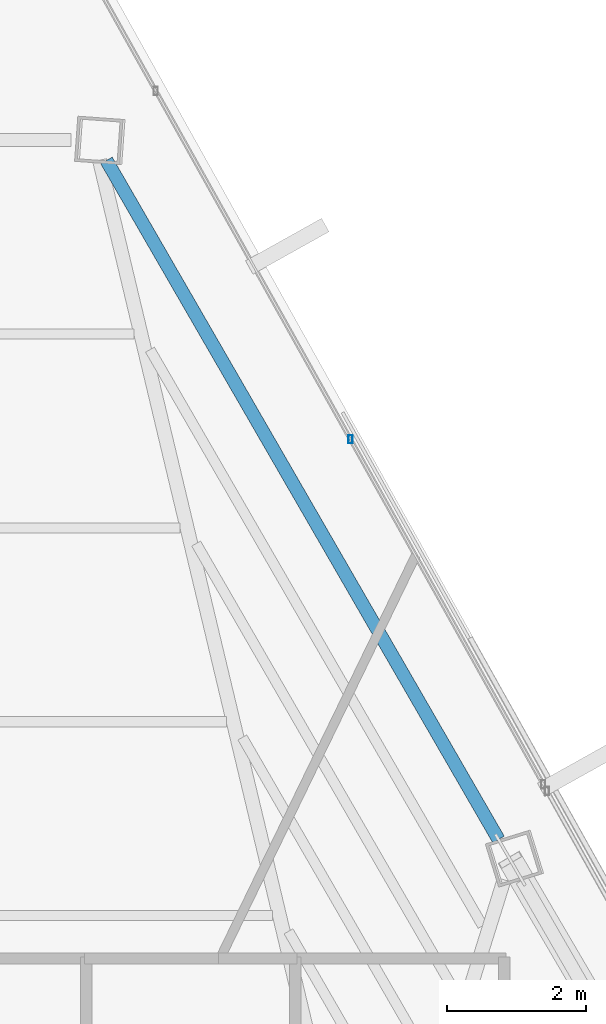
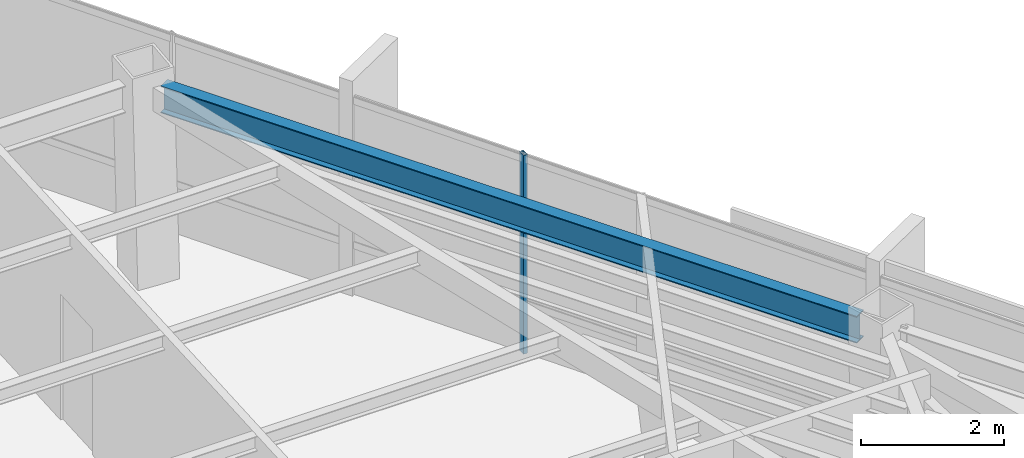
# One storey, part 37 of 45: 1 beam, 1 member, 1 element without a shape of its own.
"""IFC4 building model written with IfcOpenShell, lengths in metres."""

from ifc_helpers import new_model, si_unit, direction, frame, origin, origin_2d, place, context, subcontext, project, spatial, hollow_rectangle, i_section, extrude, source, transform, mapped, material, material_profile, profile_set, type_object, type_shapes, element, aggregate, save


model = new_model("IFC4")

# Units and contexts
model_context = context("Model", 3, precision=1e-05, world=origin(), true_north=direction((0.0, 1.0)))
body_context = subcontext(model_context, "Body", "Model", "MODEL_VIEW")
ifc_project = project(units=[si_unit("LENGTHUNIT", "METRE"), si_unit("AREAUNIT", "SQUARE_METRE"), si_unit("VOLUMEUNIT", "CUBIC_METRE"), si_unit("PLANEANGLEUNIT", "RADIAN"), si_unit("MASSUNIT", "GRAM", prefix="KILO")], contexts=[model_context])

# Site, building, storey
site_placement = place(None, origin())
site = spatial("IfcSite", under=ifc_project, at=site_placement, CompositionType="ELEMENT")
building_placement = place(site_placement, origin())
building = spatial("IfcBuilding", under=site, at=building_placement, Name="Caelisora Broadcast Tower", CompositionType="ELEMENT")
storey_placement = place(building_placement, frame((0.0, 0.0, 266.35009765625)))
storey = spatial("IfcBuildingStorey", under=building, at=storey_placement, Name="L70", CompositionType="ELEMENT", Elevation=266.35009765625)

# Beam
ifc_material_1 = material(Name="Steel Grade 350 (AS/NZS 3679.1)", Category="steel")
ifc_material_profile_1 = material_profile(ifc_material_1, i_section(OverallWidth=0.19091796875, OverallDepth=0.46044921875, WebThickness=0.010009765625, FlangeThickness=0.01611328125, at=origin_2d()), Name="Steel Grade 350 (AS/NZS 3679.1)")
ifc_profile_set_1 = profile_set([ifc_material_profile_1], Name="Steel Grade 350 (AS/NZS 3679.1)")
beam_type = type_object("IfcBeamType", Name="PG06", PredefinedType="BEAM", material=ifc_profile_set_1)
shared_shape_1 = source(origin(), body_context, "Body", "SweptSolid", [
    extrude(i_section(OverallWidth=0.19091796875, OverallDepth=0.46044921875, WebThickness=0.010009765625, FlangeThickness=0.01611328125, at=origin_2d()), origin(), (0.0, 0.0, 1.0), 11.25537109375),
])
type_shapes(beam_type, [shared_shape_1])
beam_placement = place(storey_placement, frame((47.31787109375, 36.658447265625, 3.169677734375), z_axis=(-0.49999533352, 0.866028097961, 0.0), x_axis=(-0.866028097961, -0.49999533352, 0.0)))
element("IfcBeam", 1, at=beam_placement, inside=storey, type_object=beam_type, Name="L70 beam PG06", PredefinedType="BEAM", context=body_context, shape_type="MappedRepresentation", body=[
    mapped(shared_shape_1, transform((0.0, 0.0, 0.0), scale=1.0)),
])

# Curtain wall, member
ifc_material_2 = material(Name="Unitised Aluminium and Low-E Glass Curtain Wall", Category="glass")
curtain_wall_type = type_object("IfcCurtainWallType", Name="CW-Z5", PredefinedType="NOTDEFINED", material=ifc_material_2)
curtain_wall_placement = place(storey_placement, origin())
curtain_wall = element("IfcCurtainWall", 2, at=curtain_wall_placement, inside=storey, type_object=curtain_wall_type, Name="L70 curtain wall CW-Z5", PredefinedType="NOTDEFINED")
ifc_material_3 = material(Name="Aluminium 6063-T6 Anodised Terracotta Bronze", Category="aluminium")
ifc_material_profile_2 = material_profile(ifc_material_3, hollow_rectangle(XDim=0.06005859375, YDim=0.1201171875, WallThickness=0.0029296875, at=origin_2d()), Name="Aluminium 6063-T6 Anodised Terracotta Bronze")
ifc_profile_set_2 = profile_set([ifc_material_profile_2], Name="Aluminium 6063-T6 Anodised Terracotta Bronze")
member_type = type_object("IfcMemberType", Name="CWM-04", PredefinedType="MULLION", material=ifc_profile_set_2)
shared_shape_2 = source(origin(), body_context, "Body", "SweptSolid", [
    extrude(hollow_rectangle(XDim=0.06005859375, YDim=0.1201171875, WallThickness=0.0029296875, at=origin_2d()), origin(), (0.0, 0.0, 1.0), 3.39990234375),
])
type_shapes(member_type, [shared_shape_2])
member_placement = place(storey_placement, frame((45.192138671875, 42.404052734375, 0.0), z_axis=(0.0, 0.0, 1.0), x_axis=(1.0, 0.0, 0.0)))
member = element("IfcMember", 3, at=member_placement, type_object=member_type, Name="L70-CW-B01 mullion #2", PredefinedType="MULLION", context=body_context, shape_type="MappedRepresentation", body=[
    mapped(shared_shape_2, transform((0.0, 0.0, 0.0), scale=1.0)),
])
aggregate(curtain_wall, [member])

save(model, "model.ifc")
